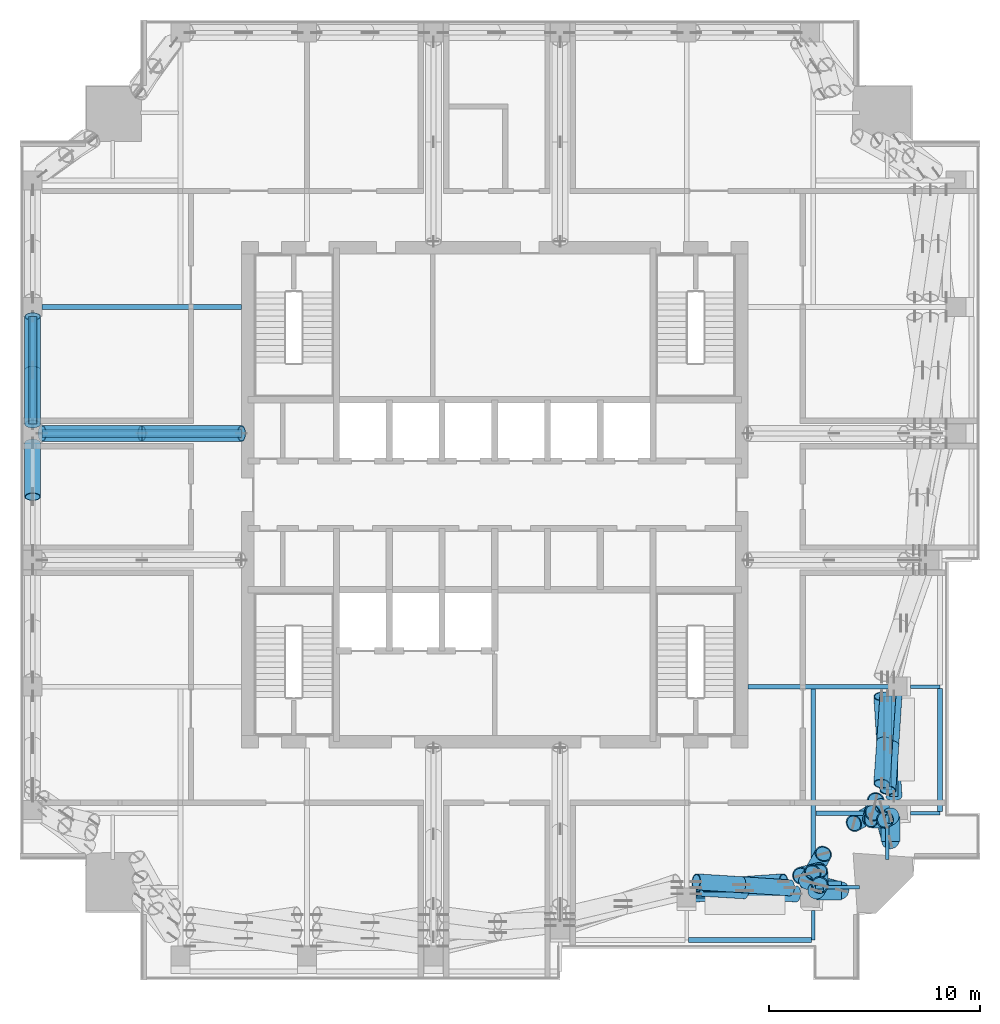
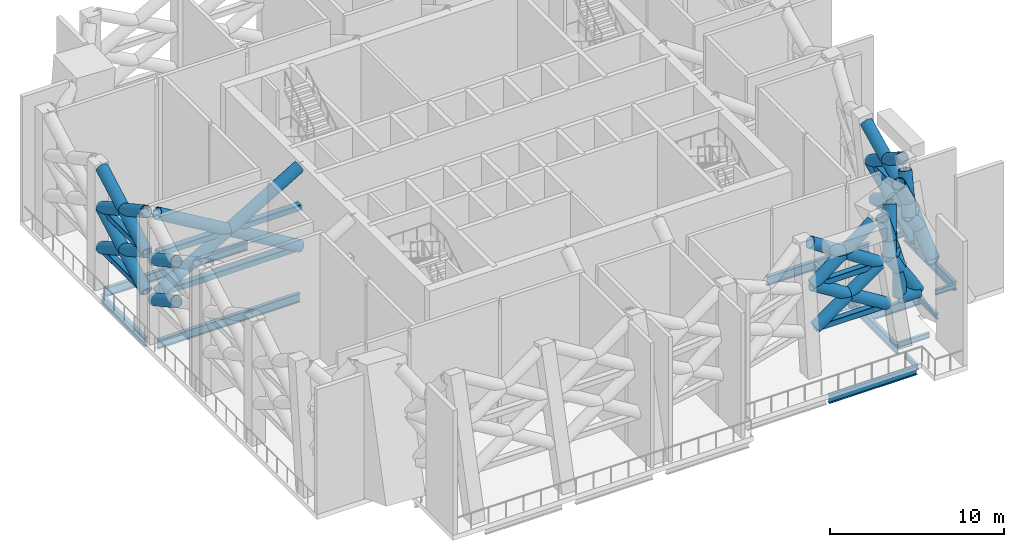
# One storey, part 3 of 18: 36 members, 25 beams.
"""IFC4 building model written with IfcOpenShell, lengths in metres."""

from ifc_helpers import new_model, si_unit, direction, frame, origin, origin_2d, place, context, subcontext, project, spatial, hollow_rectangle, hollow_circle, i_section, extrude, material, material_profile, profile_set, type_object, element, save


model = new_model("IFC4")

# Units and contexts
model_context = context("Model", 3, precision=1e-05, world=origin(), true_north=direction((0.0, 1.0)))
body_context = subcontext(model_context, "Body", "Model", "MODEL_VIEW")
ifc_project = project(units=[si_unit("LENGTHUNIT", "METRE"), si_unit("AREAUNIT", "SQUARE_METRE"), si_unit("VOLUMEUNIT", "CUBIC_METRE"), si_unit("PLANEANGLEUNIT", "RADIAN"), si_unit("MASSUNIT", "GRAM", prefix="KILO")], contexts=[model_context])

# Site, building, storey
site_placement = place(None, origin())
site = spatial("IfcSite", under=ifc_project, at=site_placement, CompositionType="ELEMENT")
building_placement = place(site_placement, origin())
building = spatial("IfcBuilding", under=site, at=building_placement, Name="Amberfall Residences", CompositionType="ELEMENT")
storey_placement = place(building_placement, frame((0.0, 0.0, 229.89990234375)))
storey = spatial("IfcBuildingStorey", under=building, at=storey_placement, Name="L62", CompositionType="ELEMENT", Elevation=229.89990234375)

# Beams
ifc_material = material(Name="Steel S355", Category="steel")
ifc_material_profile_1 = material_profile(ifc_material, hollow_circle(Radius=0.457275390625, WallThickness=0.06005859375, at=origin_2d()), Name="CHS 914.4x60")
ifc_profile_set_1 = profile_set([ifc_material_profile_1], Name="Steel S355")
beam_type_1 = type_object("IfcBeamType", Name="Belt truss chord BT CHS 914.4x60", PredefinedType="BEAM", material=ifc_profile_set_1)
beam_1_placement = place(storey_placement, frame((93.2626953125, 29.064453125, 3.0), z_axis=(0.0, 1.0, 0.0), x_axis=(-1.0, 0.0, 0.0)))
element("IfcBeam", 1, at=beam_1_placement, inside=storey, type_object=beam_type_1, Name="Belt truss chord BT2 L62 SEE", PredefinedType="BEAM", context=body_context, shape_type="SweptSolid", body=[
    extrude(hollow_circle(Radius=0.457275390625, WallThickness=0.06005859375, at=origin_2d()), origin(), (0.0, 0.0, 1.0), 1.195068359375),
])
beam_2_placement = place(storey_placement, frame((92.333984375, 30.1240234375, 5.646484375), z_axis=(0.658616848357, 0.7524784695, 0.0), x_axis=(-0.7524784695, 0.658616848357, 0.0)))
element("IfcBeam", 2, at=beam_2_placement, inside=storey, type_object=beam_type_1, Name="Belt truss chord BT2 L62 SEEm", PredefinedType="BEAM", context=body_context, shape_type="SweptSolid", body=[
    extrude(hollow_circle(Radius=0.457275390625, WallThickness=0.06005859375, at=origin_2d()), origin(), (0.0, 0.0, 1.0), 0.77001953125),
])
beam_3_placement = place(storey_placement, frame((90.935546875, 26.7373046875, 3.0), z_axis=(-1.0, 0.0, 0.0), x_axis=(0.0, -1.0, 0.0)))
element("IfcBeam", 3, at=beam_3_placement, inside=storey, type_object=beam_type_1, Name="Belt truss chord BT2 L62 SES", PredefinedType="BEAM", context=body_context, shape_type="SweptSolid", body=[
    extrude(hollow_circle(Radius=0.457275390625, WallThickness=0.06005859375, at=origin_2d()), origin(), (0.0, 0.0, 1.0), 1.195068359375),
])
beam_4_placement = place(storey_placement, frame((89.8759765625, 27.666015625, 5.646484375), z_axis=(-0.7524784695, -0.658616848357, 0.0), x_axis=(0.658616848357, -0.7524784695, 0.0)))
element("IfcBeam", 4, at=beam_4_placement, inside=storey, type_object=beam_type_1, Name="Belt truss chord BT2 L62 SESm", PredefinedType="BEAM", context=body_context, shape_type="SweptSolid", body=[
    extrude(hollow_circle(Radius=0.457275390625, WallThickness=0.06005859375, at=origin_2d()), origin(), (0.0, 0.0, 1.0), 0.77001953125),
])
ifc_material_profile_2 = material_profile(ifc_material, hollow_rectangle(XDim=0.39990234375, YDim=0.39990234375, WallThickness=0.02001953125, InnerFilletRadius=0.02001953125, OuterFilletRadius=0.030029296875, at=origin_2d()), Name="RHS 400x400x20")
ifc_profile_set_2 = profile_set([ifc_material_profile_2], Name="Steel S355")
beam_type_2 = type_object("IfcBeamType", Name="Belt truss chord BT RHS 400x400x20", PredefinedType="BEAM", material=ifc_profile_set_2)
beam_5_placement = place(storey_placement, frame((84.050048828125, 26.578857421875, 2.900146484375), z_axis=(0.999999988135, -0.000154043644, 0.0), x_axis=(0.000154043644, 0.999999988135, 0.0)))
element("IfcBeam", 5, at=beam_5_placement, inside=storey, type_object=beam_type_2, Name="Belt truss chord BT3 L62 S5", PredefinedType="BEAM", context=body_context, shape_type="SweptSolid", body=[
    extrude(hollow_rectangle(XDim=0.39990234375, YDim=0.39990234375, WallThickness=0.02001953125, InnerFilletRadius=0.02001953125, OuterFilletRadius=0.030029296875, at=origin_2d()), origin(), (0.0, 0.0, 1.0), 4.754638671875),
])
beam_6_placement = place(storey_placement, frame((84.050048828125, 26.8662109375, 5.7001953125), z_axis=(0.999999993982, 0.00010970927, 0.0), x_axis=(-0.00010970927, 0.999999993982, 0.0)))
element("IfcBeam", 6, at=beam_6_placement, inside=storey, type_object=beam_type_2, Name="Belt truss chord BT3 L62 S5m", PredefinedType="BEAM", context=body_context, shape_type="SweptSolid", body=[
    extrude(hollow_rectangle(XDim=0.39990234375, YDim=0.39990234375, WallThickness=0.02001953125, InnerFilletRadius=0.02001953125, OuterFilletRadius=0.030029296875, at=origin_2d()), origin(), (0.0, 0.0, 1.0), 4.45068359375),
])
beam_7_placement = place(storey_placement, frame((93.421875, 31.1953125, 2.900146484375), z_axis=(-0.000154043644, 0.999999988135, 0.0), x_axis=(-0.999999988135, -0.000154043644, 0.0)))
element("IfcBeam", 7, at=beam_7_placement, inside=storey, type_object=beam_type_2, Name="Belt truss chord BT3 L62 E1", PredefinedType="BEAM", context=body_context, shape_type="SweptSolid", body=[
    extrude(hollow_rectangle(XDim=0.39990234375, YDim=0.39990234375, WallThickness=0.02001953125, InnerFilletRadius=0.02001953125, OuterFilletRadius=0.030029296875, at=origin_2d()), origin(), (0.0, 0.0, 1.0), 4.754638671875),
])
beam_8_placement = place(storey_placement, frame((93.13330078125, 31.499267578125, 5.7001953125), z_axis=(0.00010970927, 0.999999993982, 0.0), x_axis=(-0.999999993982, 0.00010970927, 0.0)))
element("IfcBeam", 8, at=beam_8_placement, inside=storey, type_object=beam_type_2, Name="Belt truss chord BT3 L62 E1m", PredefinedType="BEAM", context=body_context, shape_type="SweptSolid", body=[
    extrude(hollow_rectangle(XDim=0.39990234375, YDim=0.39990234375, WallThickness=0.02001953125, InnerFilletRadius=0.02001953125, OuterFilletRadius=0.030029296875, at=origin_2d()), origin(), (0.0, 0.0, 1.0), 4.45068359375),
])
for number, where, z_axis, x_axis, name in (
    (9, (52.60009765625, 48.85009765625, 2.900146484375), (0.0, 1.0, 0.0), (-1.0, 0.0, 0.0), "Belt truss chord BT3 L62 W4"),
    (10, (52.60009765625, 48.85009765625, 5.7001953125), (0.0, 1.0, 0.0), (-1.0, 0.0, 0.0), "Belt truss chord BT3 L62 W4m"),
):
    element("IfcBeam", number, at=place(storey_placement, frame(where, z_axis=z_axis, x_axis=x_axis)), inside=storey, type_object=beam_type_2, Name=name, PredefinedType="BEAM", context=body_context, shape_type="SweptSolid", body=[
        extrude(hollow_rectangle(XDim=0.39990234375, YDim=0.39990234375, WallThickness=0.02001953125, InnerFilletRadius=0.02001953125, OuterFilletRadius=0.030029296875, at=origin_2d()), origin(), (0.0, 0.0, 1.0), 5.099853515625),
    ])

# Members
ifc_material_profile_3 = material_profile(ifc_material, hollow_circle(Radius=0.381103515625, WallThickness=0.0400390625, at=origin_2d()), Name="CHS 762x40")
ifc_profile_set_3 = profile_set([ifc_material_profile_3], Name="Steel S355")
member_type_1 = type_object("IfcMemberType", Name="Belt truss diagonal BT CHS 762x40", PredefinedType="BRACE", material=ifc_profile_set_3)
member_1_placement = place(storey_placement, frame((84.050048828125, 26.578857421875, 2.900146484375), z_axis=(0.845158939512, 0.054659483801, 0.531712993816), x_axis=(-0.064538783337, 0.997915199526, 0.0)))
element("IfcMember", 11, at=member_1_placement, inside=storey, type_object=member_type_1, Name="Belt truss diagonal BT4 L62 S5d", PredefinedType="BRACE", context=body_context, shape_type="SweptSolid", body=[
    extrude(hollow_circle(Radius=0.381103515625, WallThickness=0.0400390625, at=origin_2d()), origin(), (0.0, 0.0, 1.0), 5.26611328125),
])
member_2_placement = place(storey_placement, frame((84.050048828125, 26.8662109375, 5.7001953125), z_axis=(0.860485518779, -0.051906942934, -0.50682377731), x_axis=(0.060213400527, 0.998185527042, 0.0)))
element("IfcMember", 12, at=member_2_placement, inside=storey, type_object=member_type_1, Name="Belt truss diagonal BT4 L62 S5e", PredefinedType="BRACE", context=body_context, shape_type="SweptSolid", body=[
    extrude(hollow_circle(Radius=0.381103515625, WallThickness=0.0400390625, at=origin_2d()), origin(), (0.0, 0.0, 1.0), 2.671630859375),
])
member_3_placement = place(storey_placement, frame((86.348876953125, 26.7275390625, 4.34619140625), z_axis=(0.860529879478, -0.052355530991, -0.506702304021), x_axis=(0.060728743971, 0.998154306536, 0.0)))
element("IfcMember", 13, at=member_3_placement, inside=storey, type_object=member_type_1, Name="Belt truss diagonal BT4 L62 S5e2", PredefinedType="BRACE", context=body_context, shape_type="SweptSolid", body=[
    extrude(hollow_circle(Radius=0.381103515625, WallThickness=0.0400390625, at=origin_2d()), origin(), (0.0, 0.0, 1.0), 2.853759765625),
])
member_4_placement = place(storey_placement, frame((84.050048828125, 26.8662109375, 5.7001953125), z_axis=(0.827413664178, 0.057674424725, 0.558623566513), x_axis=(-0.069535740123, 0.997579460918, 0.0)))
element("IfcMember", 14, at=member_4_placement, inside=storey, type_object=member_type_1, Name="Belt truss diagonal BT4 L62 S5du", PredefinedType="BRACE", context=body_context, shape_type="SweptSolid", body=[
    extrude(hollow_circle(Radius=0.381103515625, WallThickness=0.0400390625, at=origin_2d()), origin(), (0.0, 0.0, 1.0), 5.011962890625),
])
member_5_placement = place(storey_placement, frame((84.050048828125, 27.1533203125, 8.5), z_axis=(0.845180594322, -0.054115395724, -0.531734225838), x_axis=(0.063897361058, 0.997956475629, 0.0)))
element("IfcMember", 15, at=member_5_placement, inside=storey, type_object=member_type_1, Name="Belt truss diagonal BT4 L62 S5eu", PredefinedType="BRACE", context=body_context, shape_type="SweptSolid", body=[
    extrude(hollow_circle(Radius=0.381103515625, WallThickness=0.0400390625, at=origin_2d()), origin(), (0.0, 0.0, 1.0), 2.5400390625),
])
member_6_placement = place(storey_placement, frame((86.19677734375, 27.015869140625, 7.1494140625), z_axis=(0.845199575351, -0.054722575028, -0.53164190731), x_axis=(0.064609873497, 0.997910599326, 0.0)))
element("IfcMember", 16, at=member_6_placement, inside=storey, type_object=member_type_1, Name="Belt truss diagonal BT4 L62 S5e2u", PredefinedType="BRACE", context=body_context, shape_type="SweptSolid", body=[
    extrude(hollow_circle(Radius=0.381103515625, WallThickness=0.0400390625, at=origin_2d()), origin(), (0.0, 0.0, 1.0), 2.725830078125),
])
member_7_placement = place(storey_placement, frame((93.421875, 31.1953125, 2.900146484375), z_axis=(-0.052138638052, 0.860508454298, 0.506761050698), x_axis=(-0.998169434368, -0.060479585754, 0.0)))
element("IfcMember", 17, at=member_7_placement, inside=storey, type_object=member_type_1, Name="Belt truss diagonal BT4 L62 E1d", PredefinedType="BRACE", context=body_context, shape_type="SweptSolid", body=[
    extrude(hollow_circle(Radius=0.381103515625, WallThickness=0.0400390625, at=origin_2d()), origin(), (0.0, 0.0, 1.0), 5.525390625),
])
member_8_placement = place(storey_placement, frame((93.13330078125, 31.499267578125, 5.7001953125), z_axis=(0.0549434757, 0.845151474375, -0.53169558945), x_axis=(-0.997893510919, 0.064873267728, 0.0)))
element("IfcMember", 18, at=member_8_placement, inside=storey, type_object=member_type_1, Name="Belt truss diagonal BT4 L62 E1e", PredefinedType="BRACE", context=body_context, shape_type="SweptSolid", body=[
    extrude(hollow_circle(Radius=0.381103515625, WallThickness=0.0400390625, at=origin_2d()), origin(), (0.0, 0.0, 1.0), 2.546142578125),
])
member_9_placement = place(storey_placement, frame((93.273193359375, 33.651123046875, 4.346435546875), z_axis=(0.054393640024, 0.845165865453, -0.531729246702), x_axis=(-0.997935400753, 0.064225664067, 0.0)))
element("IfcMember", 19, at=member_9_placement, inside=storey, type_object=member_type_1, Name="Belt truss diagonal BT4 L62 E1e2", PredefinedType="BRACE", context=body_context, shape_type="SweptSolid", body=[
    extrude(hollow_circle(Radius=0.381103515625, WallThickness=0.0400390625, at=origin_2d()), origin(), (0.0, 0.0, 1.0), 2.719970703125),
])
member_10_placement = place(storey_placement, frame((93.13330078125, 31.499267578125, 5.7001953125), z_axis=(-0.054429709262, 0.845190459834, 0.531686461513), x_axis=(-0.99793279014, -0.06426621479, 0.0)))
element("IfcMember", 20, at=member_10_placement, inside=storey, type_object=member_type_1, Name="Belt truss diagonal BT4 L62 E1du", PredefinedType="BRACE", context=body_context, shape_type="SweptSolid", body=[
    extrude(hollow_circle(Radius=0.381103515625, WallThickness=0.0400390625, at=origin_2d()), origin(), (0.0, 0.0, 1.0), 5.265869140625),
])
member_11_placement = place(storey_placement, frame((92.8447265625, 31.802978515625, 8.5), z_axis=(0.057968949852, 0.827420916622, -0.558582337341), x_axis=(-0.997554809475, 0.069888497576, 0.0)))
element("IfcMember", 21, at=member_11_placement, inside=storey, type_object=member_type_1, Name="Belt truss diagonal BT4 L62 E1eu", PredefinedType="BRACE", context=body_context, shape_type="SweptSolid", body=[
    extrude(hollow_circle(Radius=0.381103515625, WallThickness=0.0400390625, at=origin_2d()), origin(), (0.0, 0.0, 1.0), 2.41748046875),
])
member_12_placement = place(storey_placement, frame((92.98486328125, 33.80322265625, 7.149658203125), z_axis=(0.057399996919, 0.82740684083, -0.558661937223), x_axis=(-0.997602319064, 0.069207029982, 0.0)))
element("IfcMember", 22, at=member_12_placement, inside=storey, type_object=member_type_1, Name="Belt truss diagonal BT4 L62 E1e2u", PredefinedType="BRACE", context=body_context, shape_type="SweptSolid", body=[
    extrude(hollow_circle(Radius=0.381103515625, WallThickness=0.0400390625, at=origin_2d()), origin(), (0.0, 0.0, 1.0), 2.594482421875),
])
for number, where, z_axis, x_axis, name in (
    (23, (52.60009765625, 45.39990234375, 4.300048828125), (0.0, 0.876596599616, -0.481225936065), (-1.0, 0.0, 0.0), "Belt truss diagonal BT4 L62 W3e2"),
    (24, (52.60009765625, 45.39990234375, 7.10009765625), (0.0, 0.876596599616, -0.481225936065), (-1.0, 0.0, 0.0), "Belt truss diagonal BT4 L62 W3e2u"),
):
    element("IfcMember", number, at=place(storey_placement, frame(where, z_axis=z_axis, x_axis=x_axis)), inside=storey, type_object=member_type_1, Name=name, PredefinedType="BRACE", context=body_context, shape_type="SweptSolid", body=[
        extrude(hollow_circle(Radius=0.381103515625, WallThickness=0.0400390625, at=origin_2d()), origin(), (0.0, 0.0, 1.0), 2.908935546875),
    ])
member_13_placement = place(storey_placement, frame((52.60009765625, 48.85009765625, 2.900146484375), z_axis=(0.0, 0.876569178627, 0.481275882506), x_axis=(-1.0, 0.0, 0.0)))
element("IfcMember", 25, at=member_13_placement, inside=storey, type_object=member_type_1, Name="Belt truss diagonal BT4 L62 W4d", PredefinedType="BRACE", context=body_context, shape_type="SweptSolid", body=[
    extrude(hollow_circle(Radius=0.381103515625, WallThickness=0.0400390625, at=origin_2d()), origin(), (0.0, 0.0, 1.0), 5.81787109375),
])
for number, where, z_axis, x_axis, name in (
    (26, (52.60009765625, 48.85009765625, 5.7001953125), (0.0, 0.876541753881, -0.481325829042), (-1.0, 0.0, 0.0), "Belt truss diagonal BT4 L62 W4e"),
    (27, (52.60009765625, 51.39990234375, 4.300048828125), (0.0, 0.876596599616, -0.481225936065), (-1.0, 0.0, 0.0), "Belt truss diagonal BT4 L62 W4e2"),
):
    element("IfcMember", number, at=place(storey_placement, frame(where, z_axis=z_axis, x_axis=x_axis)), inside=storey, type_object=member_type_1, Name=name, PredefinedType="BRACE", context=body_context, shape_type="SweptSolid", body=[
        extrude(hollow_circle(Radius=0.381103515625, WallThickness=0.0400390625, at=origin_2d()), origin(), (0.0, 0.0, 1.0), 2.908935546875),
    ])
member_14_placement = place(storey_placement, frame((52.60009765625, 48.85009765625, 5.7001953125), z_axis=(0.0, 0.876586881471, 0.481243638121), x_axis=(-1.0, 0.0, 0.0)))
element("IfcMember", 28, at=member_14_placement, inside=storey, type_object=member_type_1, Name="Belt truss diagonal BT4 L62 W4du", PredefinedType="BRACE", context=body_context, shape_type="SweptSolid", body=[
    extrude(hollow_circle(Radius=0.381103515625, WallThickness=0.0400390625, at=origin_2d()), origin(), (0.0, 0.0, 1.0), 5.81787109375),
])
for number, where, z_axis, x_axis, name in (
    (29, (52.60009765625, 48.85009765625, 8.5), (0.0, 0.876577162254, -0.481261341284), (-1.0, 0.0, 0.0), "Belt truss diagonal BT4 L62 W4eu"),
    (30, (52.60009765625, 51.39990234375, 7.10009765625), (0.0, 0.876596599616, -0.481225936065), (-1.0, 0.0, 0.0), "Belt truss diagonal BT4 L62 W4e2u"),
):
    element("IfcMember", number, at=place(storey_placement, frame(where, z_axis=z_axis, x_axis=x_axis)), inside=storey, type_object=member_type_1, Name=name, PredefinedType="BRACE", context=body_context, shape_type="SweptSolid", body=[
        extrude(hollow_circle(Radius=0.381103515625, WallThickness=0.0400390625, at=origin_2d()), origin(), (0.0, 0.0, 1.0), 2.908935546875),
    ])
ifc_material_profile_4 = material_profile(ifc_material, hollow_circle(Radius=0.406494140625, WallThickness=0.050048828125, at=origin_2d()), Name="CHS 813x50")
ifc_profile_set_4 = profile_set([ifc_material_profile_4], Name="Steel S355")
member_type_2 = type_object("IfcMemberType", Name="Belt truss diagonal BT CHS 813x50", PredefinedType="BRACE", material=ifc_profile_set_4)
member_15_placement = place(storey_placement, frame((93.2626953125, 29.064453125, 3.0), z_axis=(-0.134222235712, 0.521733565913, 0.842483517726), x_axis=(-0.968465089402, -0.249149293818, 0.0)))
element("IfcMember", 31, at=member_15_placement, inside=storey, type_object=member_type_2, Name="Belt truss diagonal BT5 L62 SEEd", PredefinedType="BRACE", context=body_context, shape_type="SweptSolid", body=[
    extrude(hollow_circle(Radius=0.406494140625, WallThickness=0.050048828125, at=origin_2d()), origin(), (0.0, 0.0, 1.0), 3.141357421875),
])
member_16_placement = place(storey_placement, frame((92.333984375, 30.1240234375, 5.646484375), z_axis=(0.560833901477, -0.022507693395, -0.827622340619), x_axis=(0.040100267682, 0.999195660785, 0.0)))
element("IfcMember", 32, at=member_16_placement, inside=storey, type_object=member_type_2, Name="Belt truss diagonal BT5 L62 SEEe", PredefinedType="BRACE", context=body_context, shape_type="SweptSolid", body=[
    extrude(hollow_circle(Radius=0.406494140625, WallThickness=0.050048828125, at=origin_2d()), origin(), (0.0, 0.0, 1.0), 1.182373046875),
])
member_17_placement = place(storey_placement, frame((92.9970703125, 30.097412109375, 4.66796875), z_axis=(0.156549413768, 0.095541186343, -0.983038230569), x_axis=(-0.520942162486, 0.853591977085, 0.0)))
element("IfcMember", 33, at=member_17_placement, inside=storey, type_object=member_type_2, Name="Belt truss diagonal BT5 L62 SEEe2", PredefinedType="BRACE", context=body_context, shape_type="SweptSolid", body=[
    extrude(hollow_circle(Radius=0.406494140625, WallThickness=0.050048828125, at=origin_2d()), origin(), (0.0, 0.0, 1.0), 1.69677734375),
])
member_18_placement = place(storey_placement, frame((92.333984375, 30.1240234375, 5.646484375), z_axis=(0.080038259347, 0.313694115697, 0.946144745173), x_axis=(-0.968957571506, 0.247227070971, 0.0)))
element("IfcMember", 34, at=member_18_placement, inside=storey, type_object=member_type_2, Name="Belt truss diagonal BT5 L62 SEEdu", PredefinedType="BRACE", context=body_context, shape_type="SweptSolid", body=[
    extrude(hollow_circle(Radius=0.406494140625, WallThickness=0.050048828125, at=origin_2d()), origin(), (0.0, 0.0, 1.0), 2.797119140625),
])
member_19_placement = place(storey_placement, frame((91.521728515625, 29.926513671875, 8.29296875), z_axis=(0.4400795586, 0.246033489492, -0.863595683263), x_axis=(-0.487982582553, 0.872853366336, 0.0)))
element("IfcMember", 35, at=member_19_placement, inside=storey, type_object=member_type_2, Name="Belt truss diagonal BT5 L62 SEEeu", PredefinedType="BRACE", context=body_context, shape_type="SweptSolid", body=[
    extrude(hollow_circle(Radius=0.406494140625, WallThickness=0.050048828125, at=origin_2d()), origin(), (0.0, 0.0, 1.0), 2.019287109375),
])
member_20_placement = place(storey_placement, frame((92.410400390625, 30.42333984375, 6.549072265625), z_axis=(0.41468461109, 0.26963903, -0.869098076644), x_axis=(-0.545121984143, 0.838356739344, 0.0)))
element("IfcMember", 36, at=member_20_placement, inside=storey, type_object=member_type_2, Name="Belt truss diagonal BT5 L62 SEEe2u", PredefinedType="BRACE", context=body_context, shape_type="SweptSolid", body=[
    extrude(hollow_circle(Radius=0.406494140625, WallThickness=0.050048828125, at=origin_2d()), origin(), (0.0, 0.0, 1.0), 1.03857421875),
])
member_21_placement = place(storey_placement, frame((90.935546875, 26.7373046875, 3.0), z_axis=(-0.521733565913, 0.134222235712, 0.842483517726), x_axis=(-0.249149293818, -0.968465089402, 0.0)))
element("IfcMember", 37, at=member_21_placement, inside=storey, type_object=member_type_2, Name="Belt truss diagonal BT5 L62 SESd", PredefinedType="BRACE", context=body_context, shape_type="SweptSolid", body=[
    extrude(hollow_circle(Radius=0.406494140625, WallThickness=0.050048828125, at=origin_2d()), origin(), (0.0, 0.0, 1.0), 3.141357421875),
])
member_22_placement = place(storey_placement, frame((89.8759765625, 27.666015625, 5.646484375), z_axis=(0.022507693395, -0.560833901477, -0.827622340619), x_axis=(0.999195660785, 0.040100267682, 0.0)))
element("IfcMember", 38, at=member_22_placement, inside=storey, type_object=member_type_2, Name="Belt truss diagonal BT5 L62 SESe", PredefinedType="BRACE", context=body_context, shape_type="SweptSolid", body=[
    extrude(hollow_circle(Radius=0.406494140625, WallThickness=0.050048828125, at=origin_2d()), origin(), (0.0, 0.0, 1.0), 1.182373046875),
])
member_23_placement = place(storey_placement, frame((89.902587890625, 27.0029296875, 4.66796875), z_axis=(-0.095541186343, -0.156549413768, -0.983038230569), x_axis=(0.853591977085, -0.520942162486, 0.0)))
element("IfcMember", 39, at=member_23_placement, inside=storey, type_object=member_type_2, Name="Belt truss diagonal BT5 L62 SESe2", PredefinedType="BRACE", context=body_context, shape_type="SweptSolid", body=[
    extrude(hollow_circle(Radius=0.406494140625, WallThickness=0.050048828125, at=origin_2d()), origin(), (0.0, 0.0, 1.0), 1.69677734375),
])
member_24_placement = place(storey_placement, frame((89.8759765625, 27.666015625, 5.646484375), z_axis=(-0.313694115697, -0.080038259347, 0.946144745173), x_axis=(0.247227070971, -0.968957571506, 0.0)))
element("IfcMember", 40, at=member_24_placement, inside=storey, type_object=member_type_2, Name="Belt truss diagonal BT5 L62 SESdu", PredefinedType="BRACE", context=body_context, shape_type="SweptSolid", body=[
    extrude(hollow_circle(Radius=0.406494140625, WallThickness=0.050048828125, at=origin_2d()), origin(), (0.0, 0.0, 1.0), 2.797119140625),
])
member_25_placement = place(storey_placement, frame((90.073486328125, 28.478271484375, 8.29296875), z_axis=(-0.246033489492, -0.4400795586, -0.863595683263), x_axis=(0.872853366336, -0.487982582553, 0.0)))
element("IfcMember", 41, at=member_25_placement, inside=storey, type_object=member_type_2, Name="Belt truss diagonal BT5 L62 SESeu", PredefinedType="BRACE", context=body_context, shape_type="SweptSolid", body=[
    extrude(hollow_circle(Radius=0.406494140625, WallThickness=0.050048828125, at=origin_2d()), origin(), (0.0, 0.0, 1.0), 2.019287109375),
])
member_26_placement = place(storey_placement, frame((89.57666015625, 27.589599609375, 6.549072265625), z_axis=(-0.26963903, -0.41468461109, -0.869098076644), x_axis=(0.838356739344, -0.545121984143, 0.0)))
element("IfcMember", 42, at=member_26_placement, inside=storey, type_object=member_type_2, Name="Belt truss diagonal BT5 L62 SESe2u", PredefinedType="BRACE", context=body_context, shape_type="SweptSolid", body=[
    extrude(hollow_circle(Radius=0.406494140625, WallThickness=0.050048828125, at=origin_2d()), origin(), (0.0, 0.0, 1.0), 1.03857421875),
])

# Beams
ifc_material_profile_5 = material_profile(ifc_material, i_section(OverallWidth=0.171142578125, OverallDepth=0.351318359375, WebThickness=0.007080078125, FlangeThickness=0.009765625, FilletRadius=0.01025390625, at=origin_2d()), Name="UB 356x171x45")
ifc_profile_set_5 = profile_set([ifc_material_profile_5], Name="Steel S355")
beam_type_3 = type_object("IfcBeamType", Name="Cantilever girder UB 356x171x45", PredefinedType="BEAM", material=ifc_profile_set_5)
for number, where, z_axis, x_axis, name in (
    (43, (89.60009765625, 25.800048828125, -0.525634765625), (0.0, -1.0, 0.0), (1.0, 0.0, 0.0), "Cantilever girder B8 L62 08"),
    (44, (94.199951171875, 30.39990234375, -0.525634765625), (1.0, 0.0, 0.0), (0.0, 1.0, 0.0), "Cantilever girder B8 L62 20"),
    (45, (94.199951171875, 36.39990234375, -0.525634765625), (1.0, 0.0, 0.0), (0.0, 1.0, 0.0), "Cantilever girder B8 L62 21"),
):
    element("IfcBeam", number, at=place(storey_placement, frame(where, z_axis=z_axis, x_axis=x_axis)), inside=storey, type_object=beam_type_3, Name=name, PredefinedType="BEAM", context=body_context, shape_type="SweptSolid", body=[
        extrude(i_section(OverallWidth=0.171142578125, OverallDepth=0.351318359375, WebThickness=0.007080078125, FlangeThickness=0.009765625, FilletRadius=0.01025390625, at=origin_2d()), origin(), (0.0, 0.0, 1.0), 1.400146484375),
    ])
ifc_material_profile_6 = material_profile(ifc_material, i_section(OverallWidth=0.228271484375, OverallDepth=0.607666015625, WebThickness=0.010986328125, FlangeThickness=0.017333984375, FilletRadius=0.0126953125, at=origin_2d()), Name="UB 610x229x113")
ifc_profile_set_6 = profile_set([ifc_material_profile_6], Name="Steel S355")
beam_type_4 = type_object("IfcBeamType", Name="Edge beam UB 610x229x113", PredefinedType="SPANDREL", material=ifc_profile_set_6)
for number, where, z_axis, x_axis, name in (
    (46, (83.679931640625, 24.39990234375, -0.65380859375), (1.0, 0.0, 0.0), (0.0, 1.0, 0.0), "Edge beam B12 L62 05"),
    (47, (95.60009765625, 30.47998046875, -0.65380859375), (0.0, 1.0, 0.0), (-1.0, 0.0, 0.0), "Edge beam B12 L62 15"),
):
    element("IfcBeam", number, at=place(storey_placement, frame(where, z_axis=z_axis, x_axis=x_axis)), inside=storey, type_object=beam_type_4, Name=name, PredefinedType="SPANDREL", context=body_context, shape_type="SweptSolid", body=[
        extrude(i_section(OverallWidth=0.228271484375, OverallDepth=0.607666015625, WebThickness=0.010986328125, FlangeThickness=0.017333984375, FilletRadius=0.0126953125, at=origin_2d()), origin(), (0.0, 0.0, 1.0), 5.840087890625),
    ])
beam_9_placement = place(storey_placement, frame((52.60009765625, 48.85009765625, -0.65380859375), z_axis=(0.0, 1.0, 0.0), x_axis=(-1.0, 0.0, 0.0)))
element("IfcBeam", 48, at=beam_9_placement, inside=storey, type_object=beam_type_4, Name="Edge beam B12 L62 43", PredefinedType="SPANDREL", context=body_context, shape_type="SweptSolid", body=[
    extrude(i_section(OverallWidth=0.228271484375, OverallDepth=0.607666015625, WebThickness=0.010986328125, FlangeThickness=0.017333984375, FilletRadius=0.0126953125, at=origin_2d()), origin(), (0.0, 0.0, 1.0), 5.099853515625),
])
ifc_material_profile_7 = material_profile(ifc_material, i_section(OverallWidth=0.230224609375, OverallDepth=0.6171875, WebThickness=0.01318359375, FlangeThickness=0.022216796875, FilletRadius=0.0126953125, at=origin_2d()), Name="UB 610x229x140")
ifc_profile_set_7 = profile_set([ifc_material_profile_7], Name="Steel S355")
beam_type_5 = type_object("IfcBeamType", Name="Floor girder UB 610x229x140", PredefinedType="BEAM", material=ifc_profile_set_7)
beam_10_placement = place(storey_placement, frame((89.60009765625, 26.699951171875, -0.658447265625), z_axis=(0.0, 1.0, 0.0), x_axis=(-1.0, 0.0, 0.0)))
element("IfcBeam", 49, at=beam_10_placement, inside=storey, type_object=beam_type_5, Name="Floor girder B13 L62 14", PredefinedType="BEAM", context=body_context, shape_type="SweptSolid", body=[
    extrude(i_section(OverallWidth=0.230224609375, OverallDepth=0.6171875, WebThickness=0.01318359375, FlangeThickness=0.022216796875, FilletRadius=0.0126953125, at=origin_2d()), origin(), (0.0, 0.0, 1.0), 9.58984375),
])
beam_11_placement = place(storey_placement, frame((93.300048828125, 30.39990234375, -0.658447265625), z_axis=(-1.0, 0.0, 0.0), x_axis=(0.0, -1.0, 0.0)))
element("IfcBeam", 50, at=beam_11_placement, inside=storey, type_object=beam_type_5, Name="Floor girder B13 L62 23", PredefinedType="BEAM", context=body_context, shape_type="SweptSolid", body=[
    extrude(i_section(OverallWidth=0.230224609375, OverallDepth=0.6171875, WebThickness=0.01318359375, FlangeThickness=0.022216796875, FilletRadius=0.0126953125, at=origin_2d()), origin(), (0.0, 0.0, 1.0), 3.580078125),
])
beam_12_placement = place(storey_placement, frame((93.300048828125, 36.39990234375, -0.658447265625), z_axis=(-1.0, 0.0, 0.0), x_axis=(0.0, -1.0, 0.0)))
element("IfcBeam", 51, at=beam_12_placement, inside=storey, type_object=beam_type_5, Name="Floor girder B13 L62 24", PredefinedType="BEAM", context=body_context, shape_type="SweptSolid", body=[
    extrude(i_section(OverallWidth=0.230224609375, OverallDepth=0.6171875, WebThickness=0.01318359375, FlangeThickness=0.022216796875, FilletRadius=0.0126953125, at=origin_2d()), origin(), (0.0, 0.0, 1.0), 6.800048828125),
])
for number, where, z_axis, x_axis, name in (
    (52, (53.050048828125, 48.39990234375, -0.658447265625), (1.0, 0.0, 0.0), (0.0, 1.0, 0.0), "Floor girder B13 L62 48"),
    (53, (53.050048828125, 54.39990234375, -0.658447265625), (1.0, 0.0, 0.0), (0.0, 1.0, 0.0), "Floor girder B13 L62 49"),
):
    element("IfcBeam", number, at=place(storey_placement, frame(where, z_axis=z_axis, x_axis=x_axis)), inside=storey, type_object=beam_type_5, Name=name, PredefinedType="BEAM", context=body_context, shape_type="SweptSolid", body=[
        extrude(i_section(OverallWidth=0.230224609375, OverallDepth=0.6171875, WebThickness=0.01318359375, FlangeThickness=0.022216796875, FilletRadius=0.0126953125, at=origin_2d()), origin(), (0.0, 0.0, 1.0), 9.449951171875),
    ])
ifc_material_profile_8 = material_profile(ifc_material, i_section(OverallWidth=0.171142578125, OverallDepth=0.351318359375, WebThickness=0.007080078125, FlangeThickness=0.009765625, FilletRadius=0.01025390625, at=origin_2d()), Name="UB 356x171x45")
ifc_profile_set_8 = profile_set([ifc_material_profile_8], Name="Steel S355")
beam_type_6 = type_object("IfcBeamType", Name="Link beam UB 356x171x45", PredefinedType="BEAM", material=ifc_profile_set_8)
beam_13_placement = place(storey_placement, frame((91.800048828125, 26.89990234375, -0.525634765625), z_axis=(-1.0, 0.0, 0.0), x_axis=(0.0, -1.0, 0.0)))
element("IfcBeam", 54, at=beam_13_placement, inside=storey, type_object=beam_type_6, Name="Link beam B7 L62 53", PredefinedType="BEAM", context=body_context, shape_type="SweptSolid", body=[
    extrude(i_section(OverallWidth=0.171142578125, OverallDepth=0.351318359375, WebThickness=0.007080078125, FlangeThickness=0.009765625, FilletRadius=0.01025390625, at=origin_2d()), origin(), (0.0, 0.0, 1.0), 2.10546875),
])
beam_14_placement = place(storey_placement, frame((93.10009765625, 28.199951171875, -0.525634765625), z_axis=(0.0, 1.0, 0.0), x_axis=(-1.0, 0.0, 0.0)))
element("IfcBeam", 55, at=beam_14_placement, inside=storey, type_object=beam_type_6, Name="Link beam B7 L62 54", PredefinedType="BEAM", context=body_context, shape_type="SweptSolid", body=[
    extrude(i_section(OverallWidth=0.171142578125, OverallDepth=0.351318359375, WebThickness=0.007080078125, FlangeThickness=0.009765625, FilletRadius=0.01025390625, at=origin_2d()), origin(), (0.0, 0.0, 1.0), 2.12451171875),
])
ifc_material_profile_9 = material_profile(ifc_material, hollow_rectangle(XDim=0.39990234375, YDim=0.39990234375, WallThickness=0.02001953125, InnerFilletRadius=0.02001953125, OuterFilletRadius=0.030029296875, at=origin_2d()), Name="RHS 400x400x20")
ifc_profile_set_9 = profile_set([ifc_material_profile_9], Name="Steel S355")
beam_type_7 = type_object("IfcBeamType", Name="Outrigger truss chord OT RHS 400x400x20", PredefinedType="BEAM", material=ifc_profile_set_9)
for number, where, z_axis, x_axis, name in (
    (56, (53.050048828125, 48.39990234375, 2.900146484375), (1.0, 0.0, 0.0), (0.0, 1.0, 0.0), "Outrigger truss chord OT2 L62 6"),
    (57, (53.050048828125, 48.39990234375, 5.7001953125), (1.0, 0.0, 0.0), (0.0, 1.0, 0.0), "Outrigger truss chord OT2 L62 6m"),
):
    element("IfcBeam", number, at=place(storey_placement, frame(where, z_axis=z_axis, x_axis=x_axis)), inside=storey, type_object=beam_type_7, Name=name, PredefinedType="BEAM", context=body_context, shape_type="SweptSolid", body=[
        extrude(hollow_rectangle(XDim=0.39990234375, YDim=0.39990234375, WallThickness=0.02001953125, InnerFilletRadius=0.02001953125, OuterFilletRadius=0.030029296875, at=origin_2d()), origin(), (0.0, 0.0, 1.0), 9.449951171875),
    ])

# Members
ifc_material_profile_10 = material_profile(ifc_material, hollow_circle(Radius=0.381103515625, WallThickness=0.0400390625, at=origin_2d()), Name="CHS 762x40")
ifc_profile_set_10 = profile_set([ifc_material_profile_10], Name="Steel S355")
member_type_3 = type_object("IfcMemberType", Name="Outrigger truss diagonal OT CHS 762x40", PredefinedType="BRACE", material=ifc_profile_set_10)
member_27_placement = place(storey_placement, frame((53.050048828125, 48.39990234375, 2.900146484375), z_axis=(0.860280702481, 0.0, 0.509820667429), x_axis=(0.0, 1.0, 0.0)))
element("IfcMember", 58, at=member_27_placement, inside=storey, type_object=member_type_3, Name="Outrigger truss diagonal OT3 L62 6.1", PredefinedType="BRACE", context=body_context, shape_type="SweptSolid", body=[
    extrude(hollow_circle(Radius=0.381103515625, WallThickness=0.0400390625, at=origin_2d()), origin(), (0.0, 0.0, 1.0), 5.4921875),
])
member_28_placement = place(storey_placement, frame((57.77490234375, 48.39990234375, 5.7001953125), z_axis=(0.86029225567, 0.0, -0.509801171865), x_axis=(0.0, 1.0, 0.0)))
element("IfcMember", 59, at=member_28_placement, inside=storey, type_object=member_type_3, Name="Outrigger truss diagonal OT3 L62 6.2", PredefinedType="BRACE", context=body_context, shape_type="SweptSolid", body=[
    extrude(hollow_circle(Radius=0.381103515625, WallThickness=0.0400390625, at=origin_2d()), origin(), (0.0, 0.0, 1.0), 5.492431640625),
])
for number, where, z_axis, x_axis, name in (
    (60, (53.050048828125, 48.39990234375, 8.5), (0.860300198473, 0.0, -0.509787768103), (0.0, 1.0, 0.0), "Outrigger truss diagonal OT3 L62 6.1u"),
    (61, (57.77490234375, 48.39990234375, 5.7001953125), (0.860311750432, 0.0, 0.509768272913), (0.0, 1.0, 0.0), "Outrigger truss diagonal OT3 L62 6.2u"),
):
    element("IfcMember", number, at=place(storey_placement, frame(where, z_axis=z_axis, x_axis=x_axis)), inside=storey, type_object=member_type_3, Name=name, PredefinedType="BRACE", context=body_context, shape_type="SweptSolid", body=[
        extrude(hollow_circle(Radius=0.381103515625, WallThickness=0.0400390625, at=origin_2d()), origin(), (0.0, 0.0, 1.0), 5.4921875),
    ])

save(model, "model.ifc")
